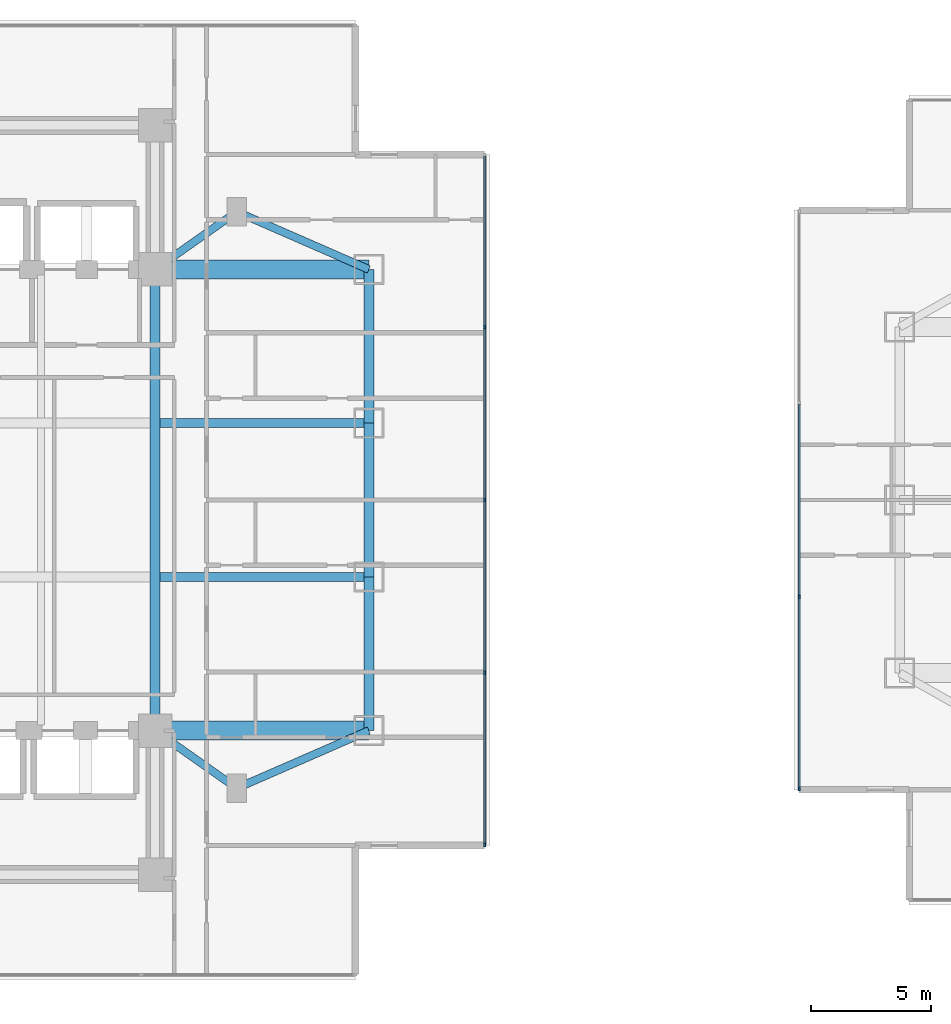
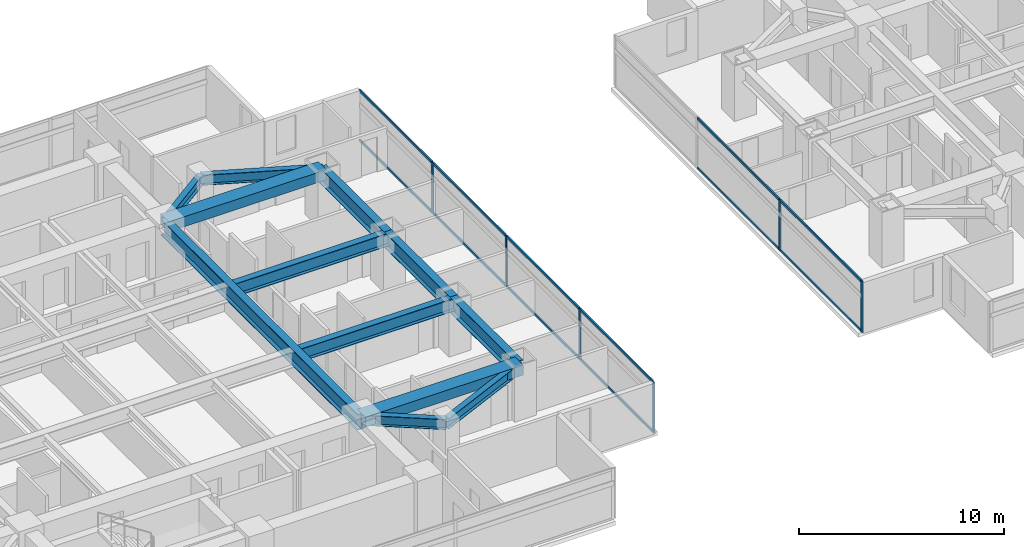
# One storey, part 5 of 26: 18 members, 12 beams, 2 elements without a shape of their own.
"""IFC4 building model written with IfcOpenShell, lengths in metres."""

from ifc_helpers import new_model, si_unit, direction, frame, origin, origin_2d, place, context, subcontext, project, spatial, rectangle, i_section, extrude, material, material_profile, profile_set, type_object, element, aggregate, save


model = new_model("IFC4")

# Units and contexts
model_context = context("Model", 3, precision=1e-05, world=origin(), true_north=direction((0.0, 1.0)))
body_context = subcontext(model_context, "Body", "Model", "MODEL_VIEW")
ifc_project = project(units=[si_unit("LENGTHUNIT", "METRE"), si_unit("AREAUNIT", "SQUARE_METRE"), si_unit("VOLUMEUNIT", "CUBIC_METRE"), si_unit("PLANEANGLEUNIT", "RADIAN"), si_unit("MASSUNIT", "GRAM", prefix="KILO")], contexts=[model_context])

# Site, building, storey
site_placement = place(None, origin())
site = spatial("IfcSite", under=ifc_project, at=site_placement, CompositionType="ELEMENT")
building_placement = place(site_placement, origin())
building = spatial("IfcBuilding", under=site, at=building_placement, Name="Mirazonda Arch Towers", CompositionType="ELEMENT")
storey_placement = place(building_placement, frame((0.0, 0.0, 48.800048828125)))
storey = spatial("IfcBuildingStorey", under=building, at=storey_placement, Name="L13", CompositionType="ELEMENT", Elevation=48.800048828125)

# Beams
ifc_material_1 = material(Name="Steel ASTM A992 Grade 50", Category="steel")
ifc_material_profile_1 = material_profile(ifc_material_1, i_section(OverallWidth=0.41796875, OverallDepth=0.927001953125, WebThickness=0.019287109375, FlangeThickness=0.031982421875, at=origin_2d()), Name="W36X231")
ifc_profile_set_1 = profile_set([ifc_material_profile_1], Name="Steel ASTM A992 Grade 50")
beam_type_1 = type_object("IfcBeamType", Name="BM-EXT-W36X231", PredefinedType="USERDEFINED", material=ifc_profile_set_1)
beam_1_placement = place(storey_placement, frame((38.89990234375, 18.39990234375, 2.596435546875), z_axis=(0.0, 1.0, 0.0), x_axis=(-1.0, 0.0, 0.0)))
element("IfcBeam", 1, at=beam_1_placement, inside=storey, type_object=beam_type_1, Name="L13 Floor Beam BM-T1-L13-NS-E-18", ObjectType="GIRDER", PredefinedType="USERDEFINED", context=body_context, shape_type="SweptSolid", body=[
    extrude(i_section(OverallWidth=0.41796875, OverallDepth=0.927001953125, WebThickness=0.019287109375, FlangeThickness=0.031982421875, at=origin_2d()), origin(), (0.0, 0.0, 1.0), 6.400146484375),
])
beam_2_placement = place(storey_placement, frame((38.89990234375, 24.800048828125, 2.596435546875), z_axis=(0.0, 1.0, 0.0), x_axis=(-1.0, 0.0, 0.0)))
element("IfcBeam", 2, at=beam_2_placement, inside=storey, type_object=beam_type_1, Name="L13 Floor Beam BM-T1-L13-NS-E-24", ObjectType="GIRDER", PredefinedType="USERDEFINED", context=body_context, shape_type="SweptSolid", body=[
    extrude(i_section(OverallWidth=0.41796875, OverallDepth=0.927001953125, WebThickness=0.019287109375, FlangeThickness=0.031982421875, at=origin_2d()), origin(), (0.0, 0.0, 1.0), 6.39990234375),
])
beam_3_placement = place(storey_placement, frame((38.89990234375, 31.199951171875, 2.596435546875), z_axis=(0.0, 1.0, 0.0), x_axis=(-1.0, 0.0, 0.0)))
element("IfcBeam", 3, at=beam_3_placement, inside=storey, type_object=beam_type_1, Name="L13 Floor Beam BM-T1-L13-NS-E-31", ObjectType="GIRDER", PredefinedType="USERDEFINED", context=body_context, shape_type="SweptSolid", body=[
    extrude(i_section(OverallWidth=0.41796875, OverallDepth=0.927001953125, WebThickness=0.019287109375, FlangeThickness=0.031982421875, at=origin_2d()), origin(), (0.0, 0.0, 1.0), 6.400146484375),
])
ifc_material_profile_2 = material_profile(ifc_material_1, i_section(OverallWidth=0.324951171875, OverallDepth=0.615966796875, WebThickness=0.013916015625, FlangeThickness=0.021484375, at=origin_2d()), Name="W24X117")
ifc_profile_set_2 = profile_set([ifc_material_profile_2], Name="Steel ASTM A992 Grade 50")
beam_type_2 = type_object("IfcBeamType", Name="BM-INT-W24X117", PredefinedType="BEAM", material=ifc_profile_set_2)
beam_4_placement = place(storey_placement, frame((33.39990234375, 16.0, 2.751953125), z_axis=(-0.816971114901, 0.576678591087, 0.0), x_axis=(-0.576678591087, -0.816971114901, 0.0)))
element("IfcBeam", 4, at=beam_4_placement, inside=storey, type_object=beam_type_2, Name="L13 Floor Beam BM-T1-L13-PL-SE1", PredefinedType="BEAM", context=body_context, shape_type="SweptSolid", body=[
    extrude(i_section(OverallWidth=0.324951171875, OverallDepth=0.615966796875, WebThickness=0.013916015625, FlangeThickness=0.021484375, at=origin_2d()), origin(), (0.0, 0.0, 1.0), 4.16162109375),
])
beam_5_placement = place(storey_placement, frame((33.39990234375, 16.0, 2.751953125), z_axis=(0.916545343703, 0.399930785183, 0.0), x_axis=(-0.399930785183, 0.916545343703, 0.0)))
element("IfcBeam", 5, at=beam_5_placement, inside=storey, type_object=beam_type_2, Name="L13 Floor Beam BM-T1-L13-PL-SE2", PredefinedType="BEAM", context=body_context, shape_type="SweptSolid", body=[
    extrude(i_section(OverallWidth=0.324951171875, OverallDepth=0.615966796875, WebThickness=0.013916015625, FlangeThickness=0.021484375, at=origin_2d()), origin(), (0.0, 0.0, 1.0), 6.000732421875),
])
beam_6_placement = place(storey_placement, frame((33.39990234375, 40.0, 2.751953125), z_axis=(-0.816971114901, -0.576678591087, 0.0), x_axis=(0.576678591087, -0.816971114901, 0.0)))
element("IfcBeam", 6, at=beam_6_placement, inside=storey, type_object=beam_type_2, Name="L13 Floor Beam BM-T1-L13-PL-NE1", PredefinedType="BEAM", context=body_context, shape_type="SweptSolid", body=[
    extrude(i_section(OverallWidth=0.324951171875, OverallDepth=0.615966796875, WebThickness=0.013916015625, FlangeThickness=0.021484375, at=origin_2d()), origin(), (0.0, 0.0, 1.0), 4.16162109375),
])
beam_7_placement = place(storey_placement, frame((33.39990234375, 40.0, 2.751953125), z_axis=(0.916545343703, -0.399930785183, 0.0), x_axis=(0.399930785183, 0.916545343703, 0.0)))
element("IfcBeam", 7, at=beam_7_placement, inside=storey, type_object=beam_type_2, Name="L13 Floor Beam BM-T1-L13-PL-NE2", PredefinedType="BEAM", context=body_context, shape_type="SweptSolid", body=[
    extrude(i_section(OverallWidth=0.324951171875, OverallDepth=0.615966796875, WebThickness=0.013916015625, FlangeThickness=0.021484375, at=origin_2d()), origin(), (0.0, 0.0, 1.0), 6.000732421875),
])
ifc_material_profile_3 = material_profile(ifc_material_1, i_section(OverallWidth=0.381103515625, OverallDepth=0.77294921875, WebThickness=0.0166015625, FlangeThickness=0.027099609375, at=origin_2d()), Name="W30X173")
ifc_profile_set_3 = profile_set([ifc_material_profile_3], Name="Steel ASTM A992 Grade 50")
beam_type_3 = type_object("IfcBeamType", Name="BM-INT-W30X173", PredefinedType="USERDEFINED", material=ifc_profile_set_3)
for number, where, z_axis, x_axis, name in (
    (8, (30.21142578125, 24.800048828125, 2.67333984375), (1.0, 0.0, 0.0), (0.0, 1.0, 0.0), "L13 Floor Beam BM-T1-L13-GE2"),
    (9, (30.21142578125, 31.199951171875, 2.67333984375), (1.0, 0.0, 0.0), (0.0, 1.0, 0.0), "L13 Floor Beam BM-T1-L13-GE3"),
):
    element("IfcBeam", number, at=place(storey_placement, frame(where, z_axis=z_axis, x_axis=x_axis)), inside=storey, type_object=beam_type_3, Name=name, ObjectType="GIRDER", PredefinedType="USERDEFINED", context=body_context, shape_type="SweptSolid", body=[
        extrude(i_section(OverallWidth=0.381103515625, OverallDepth=0.77294921875, WebThickness=0.0166015625, FlangeThickness=0.027099609375, at=origin_2d()), origin(), (0.0, 0.0, 1.0), 8.6884765625),
    ])
ifc_material_profile_4 = material_profile(ifc_material_1, i_section(OverallWidth=0.423095703125, OverallDepth=0.947998046875, WebThickness=0.02392578125, FlangeThickness=0.042724609375, at=origin_2d()), Name="W36X302")
ifc_profile_set_4 = profile_set([ifc_material_profile_4], Name="Steel ASTM A992 Grade 50")
beam_type_4 = type_object("IfcBeamType", Name="BM-INT-W36X302", PredefinedType="USERDEFINED", material=ifc_profile_set_4)
beam_8_placement = place(storey_placement, frame((30.0, 18.39990234375, 2.5859375), z_axis=(0.0, 1.0, 0.0), x_axis=(-1.0, 0.0, 0.0)))
element("IfcBeam", 10, at=beam_8_placement, inside=storey, type_object=beam_type_4, Name="L13 Floor Beam BM-T1-L13-NS-CE-FULL", ObjectType="GIRDER", PredefinedType="USERDEFINED", context=body_context, shape_type="SweptSolid", body=[
    extrude(i_section(OverallWidth=0.423095703125, OverallDepth=0.947998046875, WebThickness=0.02392578125, FlangeThickness=0.042724609375, at=origin_2d()), origin(), (0.0, 0.0, 1.0), 19.2001953125),
])
ifc_material_2 = material(Name="Concrete C60/75", Category="concrete")
ifc_material_profile_5 = material_profile(ifc_material_2, rectangle(XDim=0.800048828125, YDim=0.60009765625, at=origin_2d()), Name="RCCB800x600")
ifc_profile_set_5 = profile_set([ifc_material_profile_5], Name="Concrete C60/75")
beam_type_5 = type_object("IfcBeamType", Name="CB-INT-RCCB800x600", PredefinedType="SPANDREL", material=ifc_profile_set_5)
for number, where, z_axis, x_axis, name in (
    (11, (30.0, 37.60009765625, 2.760009765625), (1.0, 0.0, 0.0), (0.0, 1.0, 0.0), "L13 Floor Beam CBC-T1-L13-NE"),
    (12, (30.0, 18.39990234375, 2.760009765625), (1.0, 0.0, 0.0), (0.0, 1.0, 0.0), "L13 Floor Beam CBC-T1-L13-SE"),
):
    element("IfcBeam", number, at=place(storey_placement, frame(where, z_axis=z_axis, x_axis=x_axis)), inside=storey, type_object=beam_type_5, Name=name, PredefinedType="SPANDREL", context=body_context, shape_type="SweptSolid", body=[
        extrude(rectangle(XDim=0.800048828125, YDim=0.60009765625, at=origin_2d()), origin(), (0.0, 0.0, 1.0), 8.89990234375),
    ])

# Curtain wall, members
ifc_material_3 = material(Name="Anodised Aluminium and Low-E Glass", Category="aluminium")
curtain_wall_type = type_object("IfcCurtainWallType", Name="CW-HTL-UNIT", PredefinedType="NOTDEFINED", material=ifc_material_3)
curtain_wall_1_placement = place(storey_placement, origin())
curtain_wall_1 = element("IfcCurtainWall", 13, at=curtain_wall_1_placement, inside=storey, type_object=curtain_wall_type, Name="L13 T1 E Facade CW-L13-T1-E", PredefinedType="NOTDEFINED")
ifc_material_4 = material(Name="Anodised Aluminium Alloy", Category="aluminium")
ifc_material_profile_6 = material_profile(ifc_material_4, rectangle(XDim=0.074951171875, YDim=0.1650390625, at=origin_2d()), Name="ALU-MULL-75x165")
ifc_profile_set_6 = profile_set([ifc_material_profile_6], Name="Anodised Aluminium Alloy")
member_type_1 = type_object("IfcMemberType", Name="MULL-CW-HTL-UNIT", PredefinedType="MULLION", material=ifc_profile_set_6)
member_1_placement = place(storey_placement, frame((43.719970703125, 13.653564453125, 0.0), z_axis=(0.0, 0.0, 1.0), x_axis=(-1.0, 0.0, 0.0)))
member_1 = element("IfcMember", 14, at=member_1_placement, type_object=member_type_1, Name="CW-112 mullion 1", PredefinedType="MULLION", context=body_context, shape_type="SweptSolid", body=[
    extrude(rectangle(XDim=0.074951171875, YDim=0.1650390625, at=origin_2d()), origin(), (0.0, 0.0, 1.0), 3.0400390625),
])
member_2_placement = place(storey_placement, frame((43.719970703125, 20.80810546875, 0.0), z_axis=(0.0, 0.0, 1.0), x_axis=(-1.0, 0.0, 0.0)))
member_2 = element("IfcMember", 15, at=member_2_placement, type_object=member_type_1, Name="CW-112 mullion 2", PredefinedType="MULLION", context=body_context, shape_type="SweptSolid", body=[
    extrude(rectangle(XDim=0.074951171875, YDim=0.1650390625, at=origin_2d()), origin(), (0.0, 0.0, 1.0), 3.0400390625),
])
member_3_placement = place(storey_placement, frame((43.719970703125, 28.0, 0.0), z_axis=(0.0, 0.0, 1.0), x_axis=(-1.0, 0.0, 0.0)))
member_3 = element("IfcMember", 16, at=member_3_placement, type_object=member_type_1, Name="CW-112 mullion 3", PredefinedType="MULLION", context=body_context, shape_type="SweptSolid", body=[
    extrude(rectangle(XDim=0.074951171875, YDim=0.1650390625, at=origin_2d()), origin(), (0.0, 0.0, 1.0), 3.0400390625),
])
member_4_placement = place(storey_placement, frame((43.719970703125, 35.19189453125, 0.0), z_axis=(0.0, 0.0, 1.0), x_axis=(-1.0, 0.0, 0.0)))
member_4 = element("IfcMember", 17, at=member_4_placement, type_object=member_type_1, Name="CW-112 mullion 4", PredefinedType="MULLION", context=body_context, shape_type="SweptSolid", body=[
    extrude(rectangle(XDim=0.074951171875, YDim=0.1650390625, at=origin_2d()), origin(), (0.0, 0.0, 1.0), 3.0400390625),
])

curtain_wall_2_placement = place(storey_placement, origin())
curtain_wall_2 = element("IfcCurtainWall", 18, at=curtain_wall_2_placement, inside=storey, type_object=curtain_wall_type, Name="L13 T2 W Facade CW-L13-T2-W", PredefinedType="NOTDEFINED")
member_5_placement = place(storey_placement, frame((56.81591796875, 23.977783203125, 0.0), z_axis=(0.0, 0.0, 1.0), x_axis=(1.0, 0.0, 0.0)))
member_5 = element("IfcMember", 19, at=member_5_placement, type_object=member_type_1, Name="CW-112 mullion 3", PredefinedType="MULLION", context=body_context, shape_type="SweptSolid", body=[
    extrude(rectangle(XDim=0.074951171875, YDim=0.1650390625, at=origin_2d()), origin(), (0.0, 0.0, 1.0), 3.0400390625),
])
member_6_placement = place(storey_placement, frame((56.81591796875, 15.97119140625, 0.0), z_axis=(0.0, 0.0, 1.0), x_axis=(1.0, 0.0, 0.0)))
member_6 = element("IfcMember", 20, at=member_6_placement, type_object=member_type_1, Name="CW-112 mullion 4", PredefinedType="MULLION", context=body_context, shape_type="SweptSolid", body=[
    extrude(rectangle(XDim=0.074951171875, YDim=0.1650390625, at=origin_2d()), origin(), (0.0, 0.0, 1.0), 3.0400390625),
])

# Member
ifc_material_profile_7 = material_profile(ifc_material_4, rectangle(XDim=0.074951171875, YDim=0.14501953125, at=origin_2d()), Name="ALU-TRAN-75x145")
ifc_profile_set_7 = profile_set([ifc_material_profile_7], Name="Anodised Aluminium Alloy")
member_type_2 = type_object("IfcMemberType", Name="TRAN-CW-HTL-UNIT", PredefinedType="USERDEFINED", material=ifc_profile_set_7)
member_7_placement = place(storey_placement, frame((43.719970703125, 13.69091796875, 0.037353515625), z_axis=(0.0, 1.0, 0.0), x_axis=(-1.0, 0.0, 0.0)))
member_7 = element("IfcMember", 21, at=member_7_placement, type_object=member_type_2, Name="CW-112 transom 1.1", ObjectType="TRANSOM", PredefinedType="USERDEFINED", context=body_context, shape_type="SweptSolid", body=[
    extrude(rectangle(XDim=0.074951171875, YDim=0.14501953125, at=origin_2d()), origin(), (0.0, 0.0, 1.0), 7.07958984375),
])

member_8_placement = place(storey_placement, frame((43.719970703125, 13.69091796875, 3.00244140625), z_axis=(0.0, 1.0, 0.0), x_axis=(-1.0, 0.0, 0.0)))
member_8 = element("IfcMember", 22, at=member_8_placement, type_object=member_type_2, Name="CW-112 transom 1.2", ObjectType="TRANSOM", PredefinedType="USERDEFINED", context=body_context, shape_type="SweptSolid", body=[
    extrude(rectangle(XDim=0.074951171875, YDim=0.14501953125, at=origin_2d()), origin(), (0.0, 0.0, 1.0), 7.07958984375),
])

member_9_placement = place(storey_placement, frame((43.719970703125, 20.845458984375, 0.037353515625), z_axis=(0.0, 1.0, 0.0), x_axis=(-1.0, 0.0, 0.0)))
member_9 = element("IfcMember", 23, at=member_9_placement, type_object=member_type_2, Name="CW-112 transom 2.1", ObjectType="TRANSOM", PredefinedType="USERDEFINED", context=body_context, shape_type="SweptSolid", body=[
    extrude(rectangle(XDim=0.074951171875, YDim=0.14501953125, at=origin_2d()), origin(), (0.0, 0.0, 1.0), 7.116943359375),
])

member_10_placement = place(storey_placement, frame((43.719970703125, 20.845458984375, 3.00244140625), z_axis=(0.0, 1.0, 0.0), x_axis=(-1.0, 0.0, 0.0)))
member_10 = element("IfcMember", 24, at=member_10_placement, type_object=member_type_2, Name="CW-112 transom 2.2", ObjectType="TRANSOM", PredefinedType="USERDEFINED", context=body_context, shape_type="SweptSolid", body=[
    extrude(rectangle(XDim=0.074951171875, YDim=0.14501953125, at=origin_2d()), origin(), (0.0, 0.0, 1.0), 7.116943359375),
])

member_11_placement = place(storey_placement, frame((43.719970703125, 28.03759765625, 0.037353515625), z_axis=(0.0, 1.0, 0.0), x_axis=(-1.0, 0.0, 0.0)))
member_11 = element("IfcMember", 25, at=member_11_placement, type_object=member_type_2, Name="CW-112 transom 3.1", ObjectType="TRANSOM", PredefinedType="USERDEFINED", context=body_context, shape_type="SweptSolid", body=[
    extrude(rectangle(XDim=0.074951171875, YDim=0.14501953125, at=origin_2d()), origin(), (0.0, 0.0, 1.0), 7.116943359375),
])

member_12_placement = place(storey_placement, frame((43.719970703125, 28.03759765625, 3.00244140625), z_axis=(0.0, 1.0, 0.0), x_axis=(-1.0, 0.0, 0.0)))
member_12 = element("IfcMember", 26, at=member_12_placement, type_object=member_type_2, Name="CW-112 transom 3.2", ObjectType="TRANSOM", PredefinedType="USERDEFINED", context=body_context, shape_type="SweptSolid", body=[
    extrude(rectangle(XDim=0.074951171875, YDim=0.14501953125, at=origin_2d()), origin(), (0.0, 0.0, 1.0), 7.116943359375),
])

member_13_placement = place(storey_placement, frame((43.719970703125, 35.2294921875, 0.037353515625), z_axis=(0.0, 1.0, 0.0), x_axis=(-1.0, 0.0, 0.0)))
member_13 = element("IfcMember", 27, at=member_13_placement, type_object=member_type_2, Name="CW-112 transom 4.1", ObjectType="TRANSOM", PredefinedType="USERDEFINED", context=body_context, shape_type="SweptSolid", body=[
    extrude(rectangle(XDim=0.074951171875, YDim=0.14501953125, at=origin_2d()), origin(), (0.0, 0.0, 1.0), 7.07958984375),
])

member_14_placement = place(storey_placement, frame((43.719970703125, 35.2294921875, 3.00244140625), z_axis=(0.0, 1.0, 0.0), x_axis=(-1.0, 0.0, 0.0)))
member_14 = element("IfcMember", 28, at=member_14_placement, type_object=member_type_2, Name="CW-112 transom 4.2", ObjectType="TRANSOM", PredefinedType="USERDEFINED", context=body_context, shape_type="SweptSolid", body=[
    extrude(rectangle(XDim=0.074951171875, YDim=0.14501953125, at=origin_2d()), origin(), (0.0, 0.0, 1.0), 7.07958984375),
])

aggregate(curtain_wall_1, [member_1, member_2, member_3, member_4, member_7, member_8, member_9, member_10, member_11, member_12, member_13, member_14])

member_15_placement = place(storey_placement, frame((56.81591796875, 31.984619140625, 0.037353515625), z_axis=(0.0, -1.0, 0.0), x_axis=(1.0, 0.0, 0.0)))
member_15 = element("IfcMember", 29, at=member_15_placement, type_object=member_type_2, Name="CW-112 transom 2.1", ObjectType="TRANSOM", PredefinedType="USERDEFINED", context=body_context, shape_type="SweptSolid", body=[
    extrude(rectangle(XDim=0.074951171875, YDim=0.14501953125, at=origin_2d()), origin(), (0.0, 0.0, 1.0), 7.96923828125),
])

member_16_placement = place(storey_placement, frame((56.81591796875, 31.984619140625, 3.00244140625), z_axis=(0.0, -1.0, 0.0), x_axis=(1.0, 0.0, 0.0)))
member_16 = element("IfcMember", 30, at=member_16_placement, type_object=member_type_2, Name="CW-112 transom 2.2", ObjectType="TRANSOM", PredefinedType="USERDEFINED", context=body_context, shape_type="SweptSolid", body=[
    extrude(rectangle(XDim=0.074951171875, YDim=0.14501953125, at=origin_2d()), origin(), (0.0, 0.0, 1.0), 7.96923828125),
])

member_17_placement = place(storey_placement, frame((56.81591796875, 23.9404296875, 0.037353515625), z_axis=(0.0, -1.0, 0.0), x_axis=(1.0, 0.0, 0.0)))
member_17 = element("IfcMember", 31, at=member_17_placement, type_object=member_type_2, Name="CW-112 transom 3.1", ObjectType="TRANSOM", PredefinedType="USERDEFINED", context=body_context, shape_type="SweptSolid", body=[
    extrude(rectangle(XDim=0.074951171875, YDim=0.14501953125, at=origin_2d()), origin(), (0.0, 0.0, 1.0), 7.931884765625),
])

member_18_placement = place(storey_placement, frame((56.81591796875, 23.9404296875, 3.00244140625), z_axis=(0.0, -1.0, 0.0), x_axis=(1.0, 0.0, 0.0)))
member_18 = element("IfcMember", 32, at=member_18_placement, type_object=member_type_2, Name="CW-112 transom 3.2", ObjectType="TRANSOM", PredefinedType="USERDEFINED", context=body_context, shape_type="SweptSolid", body=[
    extrude(rectangle(XDim=0.074951171875, YDim=0.14501953125, at=origin_2d()), origin(), (0.0, 0.0, 1.0), 7.931884765625),
])

aggregate(curtain_wall_2, [member_5, member_6, member_15, member_16, member_17, member_18])

save(model, "model.ifc")
